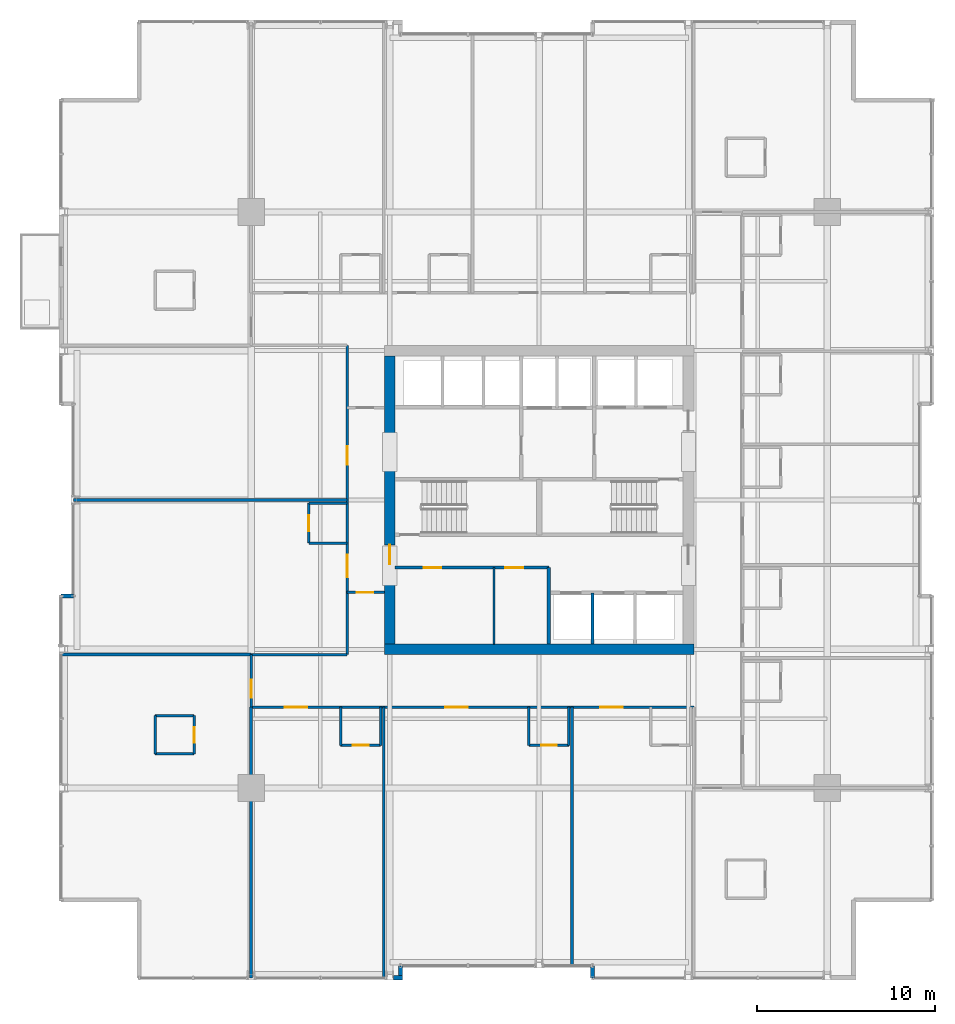
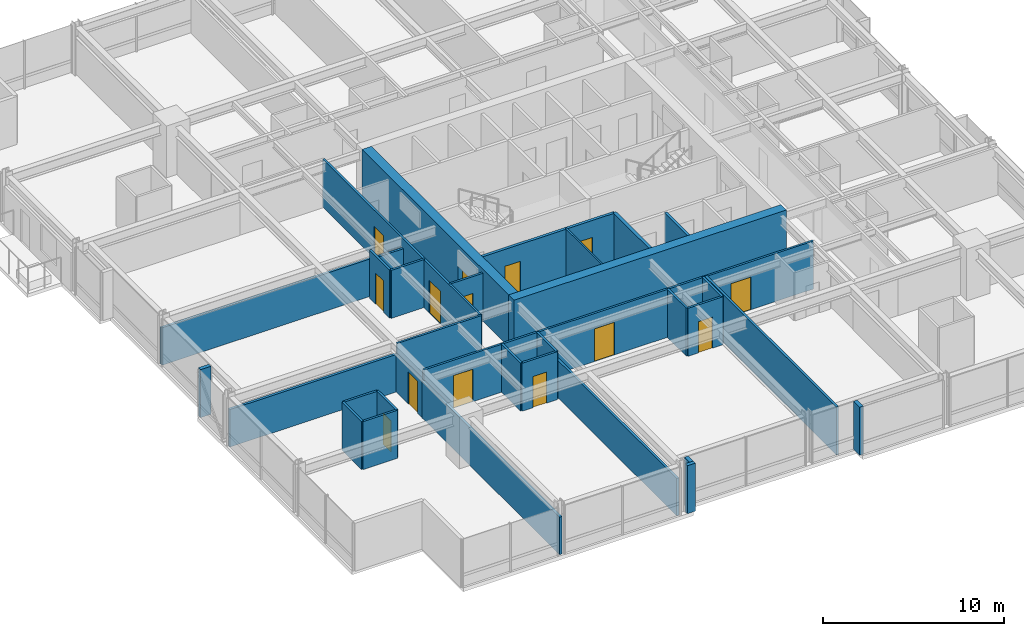
# One storey, part 28 of 34: 33 walls, 14 doors, 14 openings.
"""IFC4 building model written with IfcOpenShell, lengths in metres."""

import ifcopenshell
import ifcopenshell.guid

model = None  # the IFC model being written
_history = None  # IfcOwnerHistory: only IFC2X3 demands one
_inside = {}  # id of a spatial element -> (the spatial element, [elements in it])
_under = {}  # id of a project, library or spatial element -> (it, [spatial elements below it])
_declared = {}  # id of a project -> (the project, [libraries it declares])
_typed = {}  # id of a type object -> (the type object, [elements of that type])
_made_of = {}  # id of a material, layer set ... -> (it, [elements and type objects made of it])


def new_model(schema):
    """Start an empty IFC model of exactly this schema.

    Asked for "IFC4X3", IfcOpenShell would pick the latest addendum, in which some entities
    have other attributes; the version numbers below select the first issue.
    IFC2X3 requires an IfcOwnerHistory on every rooted entity: one is made here for all.
    """
    global model, _history
    if schema == "IFC4X3":
        model = ifcopenshell.file(schema_version=(4, 3, 0, 0))
    else:
        model = ifcopenshell.file(schema=schema)
    _inside.clear()
    _under.clear()
    _declared.clear()
    _typed.clear()
    _made_of.clear()
    _history = None
    if model.schema == "IFC2X3":
        org = make("IfcOrganization", Name="unknown")
        user = make(
            "IfcPersonAndOrganization",
            ThePerson=make("IfcPerson", FamilyName="unknown"),
            TheOrganization=org,
        )
        app = make(
            "IfcApplication",
            ApplicationDeveloper=org,
            Version="unknown",
            ApplicationFullName="unknown",
            ApplicationIdentifier="unknown",
        )
        _history = make(
            "IfcOwnerHistory",
            OwningUser=user,
            OwningApplication=app,
            ChangeAction="ADDED",
            CreationDate=0,
        )
    return model


def make(cls, **values):
    """One entity of the class cls with the attributes given. An attribute that is None is left unset."""
    return model.create_entity(
        cls, **{name: value for name, value in values.items() if value is not None}
    )


def rooted(cls, **values):
    """An entity with a GlobalId (a new one), such as an element, a storey or a relation."""
    return make(cls, GlobalId=ifcopenshell.guid.new(), OwnerHistory=_history, **values)


def si_unit(unit_type, name, prefix=None):
    """IfcSIUnit, for example si_unit("LENGTHUNIT", "METRE", prefix="MILLI")."""
    return make("IfcSIUnit", UnitType=unit_type, Prefix=prefix, Name=name)


def assignment(units):
    """IfcUnitAssignment: the units of a project."""
    return None if units is None else make("IfcUnitAssignment", Units=units)


def point(xyz):
    """IfcCartesianPoint."""
    return None if xyz is None else make("IfcCartesianPoint", Coordinates=xyz)


def direction(xyz):
    """IfcDirection."""
    return None if xyz is None else make("IfcDirection", DirectionRatios=xyz)


def frame(location, z_axis=None, x_axis=None):
    """IfcAxis2Placement3D, a coordinate frame: its origin and axes. An axis left out is left unset."""
    return make(
        "IfcAxis2Placement3D",
        Location=point(location),
        Axis=direction(z_axis),
        RefDirection=direction(x_axis),
    )


def frame_2d(location, x_axis=None):
    """IfcAxis2Placement2D, a coordinate frame in the plane: its origin and x axis."""
    return make(
        "IfcAxis2Placement2D", Location=point(location), RefDirection=direction(x_axis)
    )


def origin():
    """The frame at (0, 0, 0) with its axes left unset."""
    return frame((0.0, 0.0, 0.0))


def place(relative_to, where):
    """IfcLocalPlacement: puts the frame where relative to a parent placement (None: the world)."""
    return make(
        "IfcLocalPlacement", PlacementRelTo=relative_to, RelativePlacement=where
    )


def context(
    kind, dimensions, precision=None, world=None, true_north=None, identifier=None
):
    """IfcGeometricRepresentationContext, for example the 3D "Model" context."""
    return make(
        "IfcGeometricRepresentationContext",
        ContextIdentifier=identifier,
        ContextType=kind,
        CoordinateSpaceDimension=dimensions,
        Precision=precision,
        WorldCoordinateSystem=world,
        TrueNorth=true_north,
    )


def subcontext(parent, identifier, kind, view, scale=None):
    """IfcGeometricRepresentationSubContext, for example "Body" below "Model"."""
    return make(
        "IfcGeometricRepresentationSubContext",
        ContextIdentifier=identifier,
        ContextType=kind,
        ParentContext=parent,
        TargetScale=scale,
        TargetView=view,
    )


def project(units=None, contexts=None):
    """IfcProject with its units and contexts."""
    return rooted(
        "IfcProject",
        Name="project",
        RepresentationContexts=contexts,
        UnitsInContext=assignment(units),
    )


def spatial(cls, under=None, at=None, **own):
    """A site, building, storey or space (cls), placed at a placement, below another one or the project."""
    s = rooted(cls, ObjectPlacement=at, **own)
    if under is not None:
        _under.setdefault(under.id(), (under, []))[1].append(s)
    return s


def profile(cls, at=None, kind="AREA", **sizes):
    """A parametric profile (cls). Its sizes go by their IFC names, for example OverallWidth=200.0."""
    return make(cls, ProfileType=kind, Position=at, **sizes)


def rectangle(**sizes):
    """IfcRectangleProfileDef."""
    return profile("IfcRectangleProfileDef", **sizes)


def extrude(swept, where, along, depth):
    """IfcExtrudedAreaSolid: the profile swept, set in the frame where, extruded along a direction by depth."""
    return make(
        "IfcExtrudedAreaSolid",
        SweptArea=swept,
        Position=where,
        ExtrudedDirection=direction(along),
        Depth=depth,
    )


def shape(context_of_items, identifier, shape_type, items):
    """IfcShapeRepresentation: the items that make up one representation, for example the "Body"."""
    return make(
        "IfcShapeRepresentation",
        ContextOfItems=context_of_items,
        RepresentationIdentifier=identifier,
        RepresentationType=shape_type,
        Items=items,
    )


def material(Name=None, Category=None):
    """IfcMaterial."""
    return make("IfcMaterial", Name=Name, Category=Category)


def layer(
    of_material, thickness, ventilated=None, Name=None, Category=None, Priority=None
):
    """IfcMaterialLayer: one layer of a wall or slab, of a material (None: an air gap)."""
    return make(
        "IfcMaterialLayer",
        Material=of_material,
        LayerThickness=thickness,
        IsVentilated=ventilated,
        Name=Name,
        Category=Category,
        Priority=Priority,
    )


def layer_set(layers, Name=None):
    """IfcMaterialLayerSet."""
    return make("IfcMaterialLayerSet", MaterialLayers=layers, LayerSetName=Name)


def made_of(thing, what):
    """Note that an element or type object is made of a material, layer set ...; save() writes the relation."""
    if what is not None:
        _made_of.setdefault(what.id(), (what, []))[1].append(thing)
    return thing


def type_object(cls, material=None, **own):
    """A type object (cls), such as IfcWallType, which elements share."""
    return made_of(rooted(cls, **own), material)


def element(
    cls,
    number,
    at=None,
    inside=None,
    cuts=None,
    type_object=None,
    material=None,
    context=None,
    identifier="Body",
    shape_type=None,
    held_by="IfcProductDefinitionShape",
    body=None,
    shapes=None,
    **own,
):
    """One element of the class cls, such as IfcWall. Its Tag is "e" and its number.

    at: its placement. inside: the storey or other place that contains it. cuts: it is an
    opening in that element (IfcRelVoidsElement). A single representation is given by context,
    identifier, shape_type and body (its items); several are given by shapes. held_by: the class
    of the entity that holds the representations. save() writes the other relations.
    """
    e = rooted(cls, Tag="e%d" % number, ObjectPlacement=at, **own)
    if body is not None:
        shapes = [shape(context, identifier, shape_type, body)]
    if shapes is not None:
        e.Representation = make(held_by, Representations=shapes)
    if inside is not None:
        _inside.setdefault(inside.id(), (inside, []))[1].append(e)
    if cuts is not None:
        rooted(
            "IfcRelVoidsElement", RelatingBuildingElement=cuts, RelatedOpeningElement=e
        )
    if type_object is not None:
        _typed.setdefault(type_object.id(), (type_object, []))[1].append(e)
    return made_of(e, material)


def fill(opening, filler):
    """IfcRelFillsElement: the door or window that sits in an opening."""
    return rooted(
        "IfcRelFillsElement",
        RelatingOpeningElement=opening,
        RelatedBuildingElement=filler,
    )


def aggregate(whole, parts):
    """IfcRelAggregates: a whole, such as a stair, and the parts it consists of."""
    return rooted("IfcRelAggregates", RelatingObject=whole, RelatedObjects=parts)


def save(model, path):
    """Write the relations noted so far, then the file.

    IfcRelAggregates (storeys below a building ...), IfcRelContainedInSpatialStructure (elements
    in a storey), IfcRelDefinesByType, IfcRelAssociatesMaterial and IfcRelDeclares: one each for
    every whole, place, type object, material and project.
    """
    for whole, parts in _under.values():
        aggregate(whole, parts)
    for where, things in _inside.values():
        rooted(
            "IfcRelContainedInSpatialStructure",
            RelatedElements=things,
            RelatingStructure=where,
        )
    for kind, things in _typed.values():
        rooted("IfcRelDefinesByType", RelatedObjects=things, RelatingType=kind)
    for what, things in _made_of.values():
        rooted("IfcRelAssociatesMaterial", RelatedObjects=things, RelatingMaterial=what)
    for by, libraries in _declared.values():
        rooted("IfcRelDeclares", RelatingContext=by, RelatedDefinitions=libraries)
    model.write(path)


model = new_model("IFC4")

# Units and contexts
model_context = context("Model", 3, precision=1e-05, world=origin(), true_north=direction((0.0, 1.0)))
body_context = subcontext(model_context, "Body", "Model", "MODEL_VIEW")
ifc_project = project(units=[si_unit("LENGTHUNIT", "METRE"), si_unit("AREAUNIT", "SQUARE_METRE"), si_unit("VOLUMEUNIT", "CUBIC_METRE"), si_unit("PLANEANGLEUNIT", "RADIAN"), si_unit("MASSUNIT", "GRAM", prefix="KILO")], contexts=[model_context])

# Site, building, storey
site_placement = place(None, origin())
site = spatial("IfcSite", under=ifc_project, at=site_placement, CompositionType="ELEMENT")
building_placement = place(site_placement, origin())
building = spatial("IfcBuilding", under=site, at=building_placement, Name="Drelvath Grand Hotel", CompositionType="ELEMENT")
storey_placement = place(building_placement, frame((0.0, 0.0, 126.800048828125)))
storey = spatial("IfcBuildingStorey", under=building, at=storey_placement, Name="L32", CompositionType="ELEMENT", Elevation=126.800048828125)

# Walls
ifc_material_1 = material(Name="Gypsum Partition Board")
ifc_layer_1 = layer(ifc_material_1, 0.10009765625)
ifc_layer_set_1 = layer_set([ifc_layer_1], Name="Gypsum Partition Board")
wall_type_1 = type_object("IfcWallType", Name="Core Closet Partition 100", PredefinedType="PARTITIONING", material=ifc_layer_set_1)
wall_1_placement = place(storey_placement, frame((-2.5400390625, 18.89990234375, 0.0), z_axis=(0.0, 0.0, 1.0), x_axis=(0.0, 1.0, 0.0)))
element("IfcWall", 1, at=wall_1_placement, inside=storey, type_object=wall_type_1, Name="L32 Reclaimed Core Split Wall", PredefinedType="PARTITIONING", context=body_context, shape_type="SweptSolid", body=[
    extrude(rectangle(XDim=4.300048828125, YDim=0.10009765625, at=frame_2d((2.14990234375, 0.0))), origin(), (0.0, 0.0, 1.0), 3.239990234375),
])
ifc_material_2 = material(Name="Concrete C40/50", Category="concrete")
ifc_layer_2 = layer(ifc_material_2, 0.199951171875)
ifc_layer_set_2 = layer_set([ifc_layer_2], Name="Concrete C40/50")
wall_type_2 = type_object("IfcWallType", Name="Core Hoistway Fire Wall 200", PredefinedType="SOLIDWALL", material=ifc_layer_set_2)
wall_2_placement = place(storey_placement, frame((0.550048828125, 18.89990234375, 0.0), z_axis=(0.0, 0.0, 1.0), x_axis=(0.0, 1.0, 0.0)))
element("IfcWall", 2, at=wall_2_placement, inside=storey, type_object=wall_type_2, Name="L32 Bank 2 West Wall", PredefinedType="SOLIDWALL", context=body_context, shape_type="SweptSolid", body=[
    extrude(rectangle(XDim=4.300048828125, YDim=0.199951171875, at=frame_2d((2.14990234375, 0.0))), origin(), (0.0, 0.0, 1.0), 3.239990234375),
])
ifc_material_3 = material(Name="Gypsum Fireboard Partition")
ifc_layer_3 = layer(ifc_material_3, 0.1650390625)
ifc_layer_set_3 = layer_set([ifc_layer_3], Name="Gypsum Fireboard Partition")
wall_type_3 = type_object("IfcWallType", Name="Core Shaft Partition 165", PredefinedType="PARTITIONING", material=ifc_layer_set_3)
wall_3_placement = place(storey_placement, frame((3.0, 18.89990234375, 0.0), z_axis=(0.0, 0.0, 1.0), x_axis=(0.0, 1.0, 0.0)))
element("IfcWall", 3, at=wall_3_placement, inside=storey, type_object=wall_type_3, Name="L32 Lift PE-4/5 Divider", PredefinedType="PARTITIONING", context=body_context, shape_type="SweptSolid", body=[
    extrude(rectangle(XDim=2.880126953125, YDim=0.1650390625, at=frame_2d((1.43994140625, 0.0))), origin(), (0.0, 0.0, 1.0), 3.239990234375),
])

# Wall, opening, door
ifc_layer_4 = layer(ifc_material_3, 0.135009765625)
ifc_layer_set_4 = layer_set([ifc_layer_4], Name="Gypsum Fireboard Partition")
wall_type_4 = type_object("IfcWallType", Name="Corridor Fire Barrier Wall 135", PredefinedType="PARTITIONING", material=ifc_layer_set_4)
wall_4_placement = place(storey_placement, frame((-10.800048828125, 21.800048828125, 0.0), z_axis=(0.0, 0.0, 1.0), x_axis=(1.0, 0.0, 0.0)))
wall_4 = element("IfcWall", 4, at=wall_4_placement, inside=storey, type_object=wall_type_4, Name="L32 West Foyer South Wall", PredefinedType="PARTITIONING", context=body_context, shape_type="SweptSolid", body=[
    extrude(rectangle(XDim=2.10009765625, YDim=0.135009765625, at=frame_2d((1.050048828125, 0.0))), origin(), (0.0, 0.0, 1.0), 3.239990234375),
])
opening_1_placement = place(wall_4_placement, frame((0.550048828125, 0.0, 0.0)))
opening_1 = element("IfcOpeningElement", 5, at=opening_1_placement, cuts=wall_4, Name="Opening D-T2G4-017", PredefinedType="OPENING", context=body_context, shape_type="SweptSolid", body=[
    extrude(rectangle(XDim=0.919921875, YDim=2.10009765625, at=frame_2d((0.4599609375, 1.050048828125))), frame((0.0, 0.077392578125, 0.0), z_axis=(0.0, -1.0, 0.0), x_axis=(1.0, 0.0, 0.0)), (0.0, 0.0, 1.0), 0.155029296875),
])
ifc_material_4 = material(Name="Painted Steel S275", Category="steel")
door_type_1 = type_object("IfcDoorType", Name="Staff Utility Door 920x2100", OperationType="NOTDEFINED", PredefinedType="DOOR", material=ifc_material_4)
door_1_placement = place(opening_1_placement, origin())
door_1 = element("IfcDoor", 6, at=door_1_placement, inside=storey, type_object=door_type_1, Name="L32 West Linen Closet Door", OperationType="SINGLE_SWING_RIGHT", OverallHeight=2.10009765625, OverallWidth=0.919921875, PredefinedType="DOOR", context=body_context, shape_type="SweptSolid", body=[
    extrude(rectangle(XDim=0.919921875, YDim=2.10009765625, at=frame_2d((0.4599609375, 1.050048828125))), frame((0.0, 0.02490234375, 0.0), z_axis=(0.0, -1.0, 0.0), x_axis=(1.0, 0.0, 0.0)), (0.0, 0.0, 1.0), 0.050048828125),
])
fill(opening_1, door_1)

# Wall
wall_5_placement = place(storey_placement, frame((-16.199951171875, 18.300048828125, 0.0), z_axis=(0.0, 0.0, 1.0), x_axis=(1.0, 0.0, 0.0)))
element("IfcWall", 7, at=wall_5_placement, inside=storey, type_object=wall_type_4, Name="L32 SW Stub North Wall", PredefinedType="PARTITIONING", context=body_context, shape_type="SweptSolid", body=[
    extrude(rectangle(XDim=5.39990234375, YDim=0.135009765625, at=frame_2d((2.699951171875, 0.0))), origin(), (0.0, 0.0, 1.0), 3.239990234375),
])

# Wall, openings, doors
wall_6_placement = place(storey_placement, frame((-16.199951171875, 15.35009765625, 0.0), z_axis=(0.0, 0.0, 1.0), x_axis=(1.0, 0.0, 0.0)))
wall_6 = element("IfcWall", 8, at=wall_6_placement, inside=storey, type_object=wall_type_4, Name="L32 South Stub Corridor Wall", PredefinedType="PARTITIONING", context=body_context, shape_type="SweptSolid", body=[
    extrude(rectangle(XDim=24.89990234375, YDim=0.135009765625, at=frame_2d((12.449951171875, 0.0))), origin(), (0.0, 0.0, 1.0), 3.239990234375),
])
opening_2_placement = place(wall_6_placement, frame((1.889892578125, 0.0, 0.0)))
opening_2 = element("IfcOpeningElement", 9, at=opening_2_placement, cuts=wall_6, Name="Opening D-T2G4-028", PredefinedType="OPENING", context=body_context, shape_type="SweptSolid", body=[
    extrude(rectangle(XDim=1.260009765625, YDim=2.199951171875, at=frame_2d((0.6298828125, 1.10009765625))), frame((0.0, 0.077392578125, 0.0), z_axis=(0.0, -1.0, 0.0), x_axis=(1.0, 0.0, 0.0)), (0.0, 0.0, 1.0), 0.155029296875),
])
opening_3_placement = place(wall_6_placement, frame((10.916259765625, 0.0, 0.0)))
opening_3 = element("IfcOpeningElement", 10, at=opening_3_placement, cuts=wall_6, Name="Opening D-T2G4-030", PredefinedType="OPENING", context=body_context, shape_type="SweptSolid", body=[
    extrude(rectangle(XDim=1.260009765625, YDim=2.199951171875, at=frame_2d((0.6298828125, 1.10009765625))), frame((0.0, 0.077392578125, 0.0), z_axis=(0.0, -1.0, 0.0), x_axis=(1.0, 0.0, 0.0)), (0.0, 0.0, 1.0), 0.155029296875),
])
opening_4_placement = place(wall_6_placement, frame((19.631103515625, 0.0, 0.0)))
opening_4 = element("IfcOpeningElement", 11, at=opening_4_placement, cuts=wall_6, Name="Opening D-T2G4-032", PredefinedType="OPENING", context=body_context, shape_type="SweptSolid", body=[
    extrude(rectangle(XDim=1.260009765625, YDim=2.199951171875, at=frame_2d((0.6298828125, 1.10009765625))), frame((0.0, 0.077392578125, 0.0), z_axis=(0.0, -1.0, 0.0), x_axis=(1.0, 0.0, 0.0)), (0.0, 0.0, 1.0), 0.155029296875),
])
ifc_material_5 = material(Name="Hardwood Walnut Timber", Category="wood")
door_type_2 = type_object("IfcDoorType", Name="Suite Entrance Fire Door 1260x2200", OperationType="NOTDEFINED", PredefinedType="DOOR", material=ifc_material_5)
door_2_placement = place(opening_2_placement, origin())
door_2 = element("IfcDoor", 12, at=door_2_placement, inside=storey, type_object=door_type_2, Name="L32 Corner Suite Entry Door", OperationType="SINGLE_SWING_LEFT", OverallHeight=2.199951171875, OverallWidth=1.260009765625, PredefinedType="DOOR", context=body_context, shape_type="SweptSolid", body=[
    extrude(rectangle(XDim=1.260009765625, YDim=2.199951171875, at=frame_2d((0.6298828125, 1.10009765625))), frame((0.0, 0.02490234375, 0.0), z_axis=(0.0, -1.0, 0.0), x_axis=(1.0, 0.0, 0.0)), (0.0, 0.0, 1.0), 0.050048828125),
])
fill(opening_2, door_2)
door_3_placement = place(opening_3_placement, origin())
door_3 = element("IfcDoor", 13, at=door_3_placement, inside=storey, type_object=door_type_2, Name="L32 Corner Suite Entry Door", OperationType="SINGLE_SWING_LEFT", OverallHeight=2.199951171875, OverallWidth=1.260009765625, PredefinedType="DOOR", context=body_context, shape_type="SweptSolid", body=[
    extrude(rectangle(XDim=1.260009765625, YDim=2.199951171875, at=frame_2d((0.6298828125, 1.10009765625))), frame((0.0, 0.02490234375, 0.0), z_axis=(0.0, -1.0, 0.0), x_axis=(1.0, 0.0, 0.0)), (0.0, 0.0, 1.0), 0.050048828125),
])
fill(opening_3, door_3)
door_4_placement = place(opening_4_placement, origin())
door_4 = element("IfcDoor", 14, at=door_4_placement, inside=storey, type_object=door_type_2, Name="L32 Corner Suite Entry Door", OperationType="SINGLE_SWING_LEFT", OverallHeight=2.199951171875, OverallWidth=1.260009765625, PredefinedType="DOOR", context=body_context, shape_type="SweptSolid", body=[
    extrude(rectangle(XDim=1.260009765625, YDim=2.199951171875, at=frame_2d((0.6298828125, 1.10009765625))), frame((0.0, 0.02490234375, 0.0), z_axis=(0.0, -1.0, 0.0), x_axis=(1.0, 0.0, 0.0)), (0.0, 0.0, 1.0), 0.050048828125),
])
fill(opening_4, door_4)

wall_7_placement = place(storey_placement, frame((-10.800048828125, 18.300048828125, 0.0), z_axis=(0.0, 0.0, 1.0), x_axis=(0.0, 1.0, 0.0)))
wall_7 = element("IfcWall", 15, at=wall_7_placement, inside=storey, type_object=wall_type_4, Name="L32 West Spine Wall", PredefinedType="PARTITIONING", context=body_context, shape_type="SweptSolid", body=[
    extrude(rectangle(XDim=17.39990234375, YDim=0.135009765625, at=frame_2d((8.699951171875, 0.0))), origin(), (0.0, 0.0, 1.0), 3.239990234375),
])
opening_5_placement = place(wall_7_placement, frame((4.35498046875, 0.0, 0.0)))
opening_5 = element("IfcOpeningElement", 16, at=opening_5_placement, cuts=wall_7, Name="Opening D-T2G4-051", PredefinedType="OPENING", context=body_context, shape_type="SweptSolid", body=[
    extrude(rectangle(XDim=1.260009765625, YDim=2.199951171875, at=frame_2d((0.6298828125, 1.10009765625))), frame((0.0, 0.077392578125, 0.0), z_axis=(0.0, -1.0, 0.0), x_axis=(1.0, 0.0, 0.0)), (0.0, 0.0, 1.0), 0.155029296875),
])
opening_6_placement = place(wall_7_placement, frame((10.68994140625, 0.0, 0.0)))
opening_6 = element("IfcOpeningElement", 17, at=opening_6_placement, cuts=wall_7, Name="Opening D-T2G4-052", PredefinedType="OPENING", context=body_context, shape_type="SweptSolid", body=[
    extrude(rectangle(XDim=1.02001953125, YDim=2.14990234375, at=frame_2d((0.510009765625, 1.074951171875))), frame((0.0, 0.077392578125, 0.0), z_axis=(0.0, -1.0, 0.0), x_axis=(1.0, 0.0, 0.0)), (0.0, 0.0, 1.0), 0.155029296875),
])
door_type_3 = type_object("IfcDoorType", Name="Amenity Meeting Fire Door 1020x2150", OperationType="NOTDEFINED", PredefinedType="DOOR", material=ifc_material_5)
door_5_placement = place(opening_6_placement, origin())
door_5 = element("IfcDoor", 18, at=door_5_placement, inside=storey, type_object=door_type_3, Name="L32 Quiet Study Room Entry Door", OperationType="SINGLE_SWING_LEFT", OverallHeight=2.14990234375, OverallWidth=1.02001953125, PredefinedType="DOOR", context=body_context, shape_type="SweptSolid", body=[
    extrude(rectangle(XDim=1.02001953125, YDim=2.14990234375, at=frame_2d((0.510009765625, 1.074951171875))), frame((0.0, 0.02490234375, 0.0), z_axis=(0.0, -1.0, 0.0), x_axis=(1.0, 0.0, 0.0)), (0.0, 0.0, 1.0), 0.050048828125),
])
fill(opening_6, door_5)
door_6_placement = place(opening_5_placement, origin())
door_6 = element("IfcDoor", 19, at=door_6_placement, inside=storey, type_object=door_type_2, Name="L32 Corner Suite Entry Door", OperationType="SINGLE_SWING_RIGHT", OverallHeight=2.199951171875, OverallWidth=1.260009765625, PredefinedType="DOOR", context=body_context, shape_type="SweptSolid", body=[
    extrude(rectangle(XDim=1.260009765625, YDim=2.199951171875, at=frame_2d((0.6298828125, 1.10009765625))), frame((0.0, 0.02490234375, 0.0), z_axis=(0.0, -1.0, 0.0), x_axis=(1.0, 0.0, 0.0)), (0.0, 0.0, 1.0), 0.050048828125),
])
fill(opening_5, door_6)

# Wall, opening, door
wall_8_placement = place(storey_placement, frame((-16.199951171875, 15.35009765625, 0.0), z_axis=(0.0, 0.0, 1.0), x_axis=(0.0, 1.0, 0.0)))
wall_8 = element("IfcWall", 20, at=wall_8_placement, inside=storey, type_object=wall_type_4, Name="L32 South Stub West End", PredefinedType="PARTITIONING", context=body_context, shape_type="SweptSolid", body=[
    extrude(rectangle(XDim=2.949951171875, YDim=0.135009765625, at=frame_2d((1.47509765625, 0.0))), origin(), (0.0, 0.0, 1.0), 2.529541015625),
])
opening_7_placement = place(wall_8_placement, frame((0.52001953125, 0.0, 0.0)))
opening_7 = element("IfcOpeningElement", 21, at=opening_7_placement, cuts=wall_8, Name="Opening D-T2G4-020", PredefinedType="OPENING", context=body_context, shape_type="SweptSolid", body=[
    extrude(rectangle(XDim=1.02001953125, YDim=2.14990234375, at=frame_2d((0.510009765625, 1.074951171875))), frame((0.0, 0.077392578125, 0.0), z_axis=(0.0, -1.0, 0.0), x_axis=(1.0, 0.0, 0.0)), (0.0, 0.0, 1.0), 0.155029296875),
])
door_7_placement = place(opening_7_placement, origin())
door_7 = element("IfcDoor", 22, at=door_7_placement, inside=storey, type_object=door_type_3, Name="L32 Corner Suite Entry Door", OperationType="SINGLE_SWING_LEFT", OverallHeight=2.14990234375, OverallWidth=1.02001953125, PredefinedType="DOOR", context=body_context, shape_type="SweptSolid", body=[
    extrude(rectangle(XDim=1.02001953125, YDim=2.14990234375, at=frame_2d((0.510009765625, 1.074951171875))), frame((0.0, 0.02490234375, 0.0), z_axis=(0.0, -1.0, 0.0), x_axis=(1.0, 0.0, 0.0)), (0.0, 0.0, 1.0), 0.050048828125),
])
fill(opening_7, door_7)

# Walls
ifc_material_6 = material(Name="Moisture-Resistant Gypsum Board")
ifc_layer_5 = layer(ifc_material_6, 0.139892578125)
ifc_layer_set_5 = layer_set([ifc_layer_5], Name="Moisture-Resistant Gypsum Board")
wall_type_5 = type_object("IfcWallType", Name="En-Suite Plumbing Wall 140", PredefinedType="PLUMBINGWALL", material=ifc_layer_set_5)
for number, where, z_axis, x_axis, name in (
    (23, (-21.60009765625, 12.719970703125, 0.0), (0.0, 0.0, 1.0), (1.0, 0.0, 0.0), "L32 Corner En-Suite South"),
    (24, (-21.60009765625, 14.8701171875, 0.0), (0.0, 0.0, 1.0), (1.0, 0.0, 0.0), "L32 Corner En-Suite North"),
):
    element("IfcWall", number, at=place(storey_placement, frame(where, z_axis=z_axis, x_axis=x_axis)), inside=storey, type_object=wall_type_5, Name=name, PredefinedType="PLUMBINGWALL", context=body_context, shape_type="SweptSolid", body=[
        extrude(rectangle(XDim=2.2001953125, YDim=0.139892578125, at=frame_2d((1.10009765625, 0.0))), origin(), (0.0, 0.0, 1.0), 3.239990234375),
    ])
wall_9_placement = place(storey_placement, frame((-21.60009765625, 12.719970703125, 0.0), z_axis=(0.0, 0.0, 1.0), x_axis=(0.0, 1.0, 0.0)))
element("IfcWall", 25, at=wall_9_placement, inside=storey, type_object=wall_type_5, Name="L32 Corner En-Suite West", PredefinedType="PLUMBINGWALL", context=body_context, shape_type="SweptSolid", body=[
    extrude(rectangle(XDim=2.150146484375, YDim=0.139892578125, at=frame_2d((1.0751953125, 0.0))), origin(), (0.0, 0.0, 1.0), 3.239990234375),
])

# Wall, opening, door
wall_10_placement = place(storey_placement, frame((-19.39990234375, 12.719970703125, 0.0), z_axis=(0.0, 0.0, 1.0), x_axis=(0.0, 1.0, 0.0)))
wall_10 = element("IfcWall", 26, at=wall_10_placement, inside=storey, type_object=wall_type_5, Name="L32 Corner En-Suite East", PredefinedType="PLUMBINGWALL", context=body_context, shape_type="SweptSolid", body=[
    extrude(rectangle(XDim=2.150146484375, YDim=0.139892578125, at=frame_2d((1.0751953125, 0.0))), origin(), (0.0, 0.0, 1.0), 3.239990234375),
])
opening_8_placement = place(wall_10_placement, frame((0.6201171875, 0.0, 0.0)))
opening_8 = element("IfcOpeningElement", 27, at=opening_8_placement, cuts=wall_10, Name="Opening D-T2G4-019", PredefinedType="OPENING", context=body_context, shape_type="SweptSolid", body=[
    extrude(rectangle(XDim=0.8798828125, YDim=2.10009765625, at=frame_2d((0.43994140625, 1.050048828125))), frame((0.0, 0.079833984375, 0.0), z_axis=(0.0, -1.0, 0.0), x_axis=(1.0, 0.0, 0.0)), (0.0, 0.0, 1.0), 0.159912109375),
])
door_type_4 = type_object("IfcDoorType", Name="En-Suite Bathroom Door 880x2100", OperationType="NOTDEFINED", PredefinedType="DOOR", material=ifc_material_5)
door_8_placement = place(opening_8_placement, origin())
door_8 = element("IfcDoor", 28, at=door_8_placement, inside=storey, type_object=door_type_4, Name="L32 Corner En-Suite Door", OperationType="SINGLE_SWING_RIGHT", OverallHeight=2.10009765625, OverallWidth=0.8798828125, PredefinedType="DOOR", context=body_context, shape_type="SweptSolid", body=[
    extrude(rectangle(XDim=0.8798828125, YDim=2.10009765625, at=frame_2d((0.43994140625, 1.050048828125))), frame((0.0, 0.02490234375, 0.0), z_axis=(0.0, -1.0, 0.0), x_axis=(1.0, 0.0, 0.0)), (0.0, 0.0, 1.0), 0.050048828125),
])
fill(opening_8, door_8)

# Walls
for number, where, z_axis, x_axis, name in (
    (29, (-11.159912109375, 15.35009765625, 0.0), (0.0, 0.0, 1.0), (0.0, -1.0, 0.0), "L32 En-Suite Left Wall"),
    (30, (-8.909912109375, 15.35009765625, 0.0), (0.0, 0.0, 1.0), (0.0, -1.0, 0.0), "L32 En-Suite Right Wall"),
):
    element("IfcWall", number, at=place(storey_placement, frame(where, z_axis=z_axis, x_axis=x_axis)), inside=storey, type_object=wall_type_5, Name=name, PredefinedType="PLUMBINGWALL", context=body_context, shape_type="SweptSolid", body=[
        extrude(rectangle(XDim=2.150146484375, YDim=0.139892578125, at=frame_2d((1.0751953125, 0.0))), origin(), (0.0, 0.0, 1.0), 3.239990234375),
    ])

# Wall, opening, door
wall_11_placement = place(storey_placement, frame((-11.159912109375, 13.199951171875, 0.0), z_axis=(0.0, 0.0, 1.0), x_axis=(1.0, 0.0, 0.0)))
wall_11 = element("IfcWall", 31, at=wall_11_placement, inside=storey, type_object=wall_type_5, Name="L32 En-Suite Front Wall", PredefinedType="PLUMBINGWALL", context=body_context, shape_type="SweptSolid", body=[
    extrude(rectangle(XDim=2.25, YDim=0.139892578125, at=frame_2d((1.125, 0.0))), origin(), (0.0, 0.0, 1.0), 3.239990234375),
])
opening_9_placement = place(wall_11_placement, frame((0.68505859375, 0.0, 0.0)))
opening_9 = element("IfcOpeningElement", 32, at=opening_9_placement, cuts=wall_11, Name="Opening D-T2G4-027", PredefinedType="OPENING", context=body_context, shape_type="SweptSolid", body=[
    extrude(rectangle(XDim=0.8798828125, YDim=2.10009765625, at=frame_2d((0.43994140625, 1.050048828125))), frame((0.0, 0.079833984375, 0.0), z_axis=(0.0, -1.0, 0.0), x_axis=(1.0, 0.0, 0.0)), (0.0, 0.0, 1.0), 0.159912109375),
])
door_9_placement = place(opening_9_placement, origin())
door_9 = element("IfcDoor", 33, at=door_9_placement, inside=storey, type_object=door_type_4, Name="L32 En-Suite Bathroom Door", OperationType="SINGLE_SWING_RIGHT", OverallHeight=2.10009765625, OverallWidth=0.8798828125, PredefinedType="DOOR", context=body_context, shape_type="SweptSolid", body=[
    extrude(rectangle(XDim=0.8798828125, YDim=2.10009765625, at=frame_2d((0.43994140625, 1.050048828125))), frame((0.0, 0.02490234375, 0.0), z_axis=(0.0, -1.0, 0.0), x_axis=(1.0, 0.0, 0.0)), (0.0, 0.0, 1.0), 0.050048828125),
])
fill(opening_9, door_9)

# Walls
for number, where, z_axis, x_axis, name in (
    (34, (-0.577392578125, 15.35009765625, 0.0), (0.0, 0.0, 1.0), (0.0, -1.0, 0.0), "L32 En-Suite Left Wall"),
    (35, (1.672607421875, 15.35009765625, 0.0), (0.0, 0.0, 1.0), (0.0, -1.0, 0.0), "L32 En-Suite Right Wall"),
):
    element("IfcWall", number, at=place(storey_placement, frame(where, z_axis=z_axis, x_axis=x_axis)), inside=storey, type_object=wall_type_5, Name=name, PredefinedType="PLUMBINGWALL", context=body_context, shape_type="SweptSolid", body=[
        extrude(rectangle(XDim=2.150146484375, YDim=0.139892578125, at=frame_2d((1.0751953125, 0.0))), origin(), (0.0, 0.0, 1.0), 3.239990234375),
    ])

# Wall, opening, door
wall_12_placement = place(storey_placement, frame((-0.577392578125, 13.199951171875, 0.0), z_axis=(0.0, 0.0, 1.0), x_axis=(1.0, 0.0, 0.0)))
wall_12 = element("IfcWall", 36, at=wall_12_placement, inside=storey, type_object=wall_type_5, Name="L32 En-Suite Front Wall", PredefinedType="PLUMBINGWALL", context=body_context, shape_type="SweptSolid", body=[
    extrude(rectangle(XDim=2.25, YDim=0.139892578125, at=frame_2d((1.125, 0.0))), origin(), (0.0, 0.0, 1.0), 3.239990234375),
])
opening_10_placement = place(wall_12_placement, frame((0.68505859375, 0.0, 0.0)))
opening_10 = element("IfcOpeningElement", 37, at=opening_10_placement, cuts=wall_12, Name="Opening D-T2G4-029", PredefinedType="OPENING", context=body_context, shape_type="SweptSolid", body=[
    extrude(rectangle(XDim=0.8798828125, YDim=2.10009765625, at=frame_2d((0.43994140625, 1.050048828125))), frame((0.0, 0.079833984375, 0.0), z_axis=(0.0, -1.0, 0.0), x_axis=(1.0, 0.0, 0.0)), (0.0, 0.0, 1.0), 0.159912109375),
])
door_10_placement = place(opening_10_placement, origin())
door_10 = element("IfcDoor", 38, at=door_10_placement, inside=storey, type_object=door_type_4, Name="L32 En-Suite Bathroom Door", OperationType="SINGLE_SWING_RIGHT", OverallHeight=2.10009765625, OverallWidth=0.8798828125, PredefinedType="DOOR", context=body_context, shape_type="SweptSolid", body=[
    extrude(rectangle(XDim=0.8798828125, YDim=2.10009765625, at=frame_2d((0.43994140625, 1.050048828125))), frame((0.0, 0.02490234375, 0.0), z_axis=(0.0, -1.0, 0.0), x_axis=(1.0, 0.0, 0.0)), (0.0, 0.0, 1.0), 0.050048828125),
])
fill(opening_10, door_10)

# Walls
wall_13_placement = place(storey_placement, frame((-10.800048828125, 24.570068359375, 0.0), z_axis=(0.0, 0.0, 1.0), x_axis=(-1.0, 0.0, 0.0)))
element("IfcWall", 39, at=wall_13_placement, inside=storey, type_object=wall_type_5, Name="L32 En-Suite Left Wall", PredefinedType="PLUMBINGWALL", context=body_context, shape_type="SweptSolid", body=[
    extrude(rectangle(XDim=2.14990234375, YDim=0.139892578125, at=frame_2d((1.074951171875, 0.0))), origin(), (0.0, 0.0, 1.0), 3.239990234375),
])
wall_14_placement = place(storey_placement, frame((-10.800048828125, 26.820068359375, 0.0), z_axis=(0.0, 0.0, 1.0), x_axis=(-1.0, 0.0, 0.0)))
element("IfcWall", 40, at=wall_14_placement, inside=storey, type_object=wall_type_5, Name="L32 En-Suite Right Wall", PredefinedType="PLUMBINGWALL", context=body_context, shape_type="SweptSolid", body=[
    extrude(rectangle(XDim=2.14990234375, YDim=0.139892578125, at=frame_2d((1.074951171875, 0.0))), origin(), (0.0, 0.0, 1.0), 2.617431640625),
])

# Wall, opening, door
wall_15_placement = place(storey_placement, frame((-12.949951171875, 24.570068359375, 0.0), z_axis=(0.0, 0.0, 1.0), x_axis=(0.0, 1.0, 0.0)))
wall_15 = element("IfcWall", 41, at=wall_15_placement, inside=storey, type_object=wall_type_5, Name="L32 En-Suite Front Wall", PredefinedType="PLUMBINGWALL", context=body_context, shape_type="SweptSolid", body=[
    extrude(rectangle(XDim=2.25, YDim=0.139892578125, at=frame_2d((1.125, 0.0))), origin(), (0.0, 0.0, 1.0), 3.239990234375),
])
opening_11_placement = place(wall_15_placement, frame((0.68505859375, 0.0, 0.0)))
opening_11 = element("IfcOpeningElement", 42, at=opening_11_placement, cuts=wall_15, Name="Opening D-T2G4-050", PredefinedType="OPENING", context=body_context, shape_type="SweptSolid", body=[
    extrude(rectangle(XDim=0.8798828125, YDim=2.10009765625, at=frame_2d((0.43994140625, 1.050048828125))), frame((0.0, 0.079833984375, 0.0), z_axis=(0.0, -1.0, 0.0), x_axis=(1.0, 0.0, 0.0)), (0.0, 0.0, 1.0), 0.159912109375),
])
door_11_placement = place(opening_11_placement, origin())
door_11 = element("IfcDoor", 43, at=door_11_placement, inside=storey, type_object=door_type_4, Name="L32 En-Suite Bathroom Door", OperationType="SINGLE_SWING_LEFT", OverallHeight=2.10009765625, OverallWidth=0.8798828125, PredefinedType="DOOR", context=body_context, shape_type="SweptSolid", body=[
    extrude(rectangle(XDim=0.8798828125, YDim=2.10009765625, at=frame_2d((0.43994140625, 1.050048828125))), frame((0.0, 0.02490234375, 0.0), z_axis=(0.0, -1.0, 0.0), x_axis=(1.0, 0.0, 0.0)), (0.0, 0.0, 1.0), 0.050048828125),
])
fill(opening_11, door_11)

# Wall, openings, doors
ifc_layer_6 = layer(ifc_material_3, 0.179931640625)
ifc_layer_set_6 = layer_set([ifc_layer_6], Name="Gypsum Fireboard Partition")
wall_type_6 = type_object("IfcWallType", Name="FSAE Smoke Lobby Fire Wall 180", PredefinedType="SOLIDWALL", material=ifc_layer_set_6)
wall_16_placement = place(storey_placement, frame((-8.10009765625, 23.199951171875, 0.0), z_axis=(0.0, 0.0, 1.0), x_axis=(1.0, 0.0, 0.0)))
wall_16 = element("IfcWall", 44, at=wall_16_placement, inside=storey, type_object=wall_type_6, Name="L32 Reclaimed Core Room Wall", PredefinedType="SOLIDWALL", context=body_context, shape_type="SweptSolid", body=[
    extrude(rectangle(XDim=8.650146484375, YDim=0.179931640625, at=frame_2d((4.3251953125, 0.0))), origin(), (0.0, 0.0, 1.0), 3.239990234375),
])
opening_12_placement = place(wall_16_placement, frame((1.60009765625, 0.0, 0.0)))
opening_12 = element("IfcOpeningElement", 45, at=opening_12_placement, cuts=wall_16, Name="Opening D-T2G4-015", PredefinedType="OPENING", context=body_context, shape_type="SweptSolid", body=[
    extrude(rectangle(XDim=1.0, YDim=2.10009765625, at=frame_2d((0.5, 1.050048828125))), frame((0.0, 0.099853515625, 0.0), z_axis=(0.0, -1.0, 0.0), x_axis=(1.0, 0.0, 0.0)), (0.0, 0.0, 1.0), 0.199951171875),
])
opening_13_placement = place(wall_16_placement, frame((6.199951171875, 0.0, 0.0)))
opening_13 = element("IfcOpeningElement", 46, at=opening_13_placement, cuts=wall_16, Name="Opening D-T2G4-016", PredefinedType="OPENING", context=body_context, shape_type="SweptSolid", body=[
    extrude(rectangle(XDim=1.0, YDim=2.10009765625, at=frame_2d((0.5, 1.050048828125))), frame((0.0, 0.099853515625, 0.0), z_axis=(0.0, -1.0, 0.0), x_axis=(1.0, 0.0, 0.0)), (0.0, 0.0, 1.0), 0.199951171875),
])
door_type_5 = type_object("IfcDoorType", Name="Core Service Fire Door 1000x2100", OperationType="NOTDEFINED", PredefinedType="DOOR", material=ifc_material_4)
door_12_placement = place(opening_12_placement, origin())
door_12 = element("IfcDoor", 47, at=door_12_placement, inside=storey, type_object=door_type_5, Name="L32 Housekeeping Door", OperationType="SINGLE_SWING_RIGHT", OverallHeight=2.10009765625, OverallWidth=1.0, PredefinedType="DOOR", context=body_context, shape_type="SweptSolid", body=[
    extrude(rectangle(XDim=1.0, YDim=2.10009765625, at=frame_2d((0.5, 1.050048828125))), frame((0.0, 0.02490234375, 0.0), z_axis=(0.0, -1.0, 0.0), x_axis=(1.0, 0.0, 0.0)), (0.0, 0.0, 1.0), 0.050048828125),
])
fill(opening_12, door_12)
door_13_placement = place(opening_13_placement, origin())
door_13 = element("IfcDoor", 48, at=door_13_placement, inside=storey, type_object=door_type_5, Name="L32 Butler Pantry Door", OperationType="SINGLE_SWING_LEFT", OverallHeight=2.10009765625, OverallWidth=1.0, PredefinedType="DOOR", context=body_context, shape_type="SweptSolid", body=[
    extrude(rectangle(XDim=1.0, YDim=2.10009765625, at=frame_2d((0.5, 1.050048828125))), frame((0.0, 0.02490234375, 0.0), z_axis=(0.0, -1.0, 0.0), x_axis=(1.0, 0.0, 0.0)), (0.0, 0.0, 1.0), 0.050048828125),
])
fill(opening_13, door_13)

# Walls
ifc_material_7 = material(Name="Gypsum Acoustic Partition")
ifc_layer_7 = layer(ifc_material_7, 0.14990234375)
ifc_layer_set_7 = layer_set([ifc_layer_7], Name="Gypsum Acoustic Partition")
wall_type_7 = type_object("IfcWallType", Name="Guestroom Demising Wall 150", PredefinedType="PARTITIONING", material=ifc_layer_set_7)
wall_17_placement = place(storey_placement, frame((-8.72998046875, 0.1201171875, 0.0), z_axis=(0.0, 0.0, 1.0), x_axis=(0.0, 1.0, 0.0)))
element("IfcWall", 49, at=wall_17_placement, inside=storey, type_object=wall_type_7, Name="L32 South Demising 1", PredefinedType="PARTITIONING", context=body_context, shape_type="SweptSolid", body=[
    extrude(rectangle(XDim=15.22998046875, YDim=0.14990234375, at=frame_2d((7.614990234375, 0.0))), origin(), (0.0, 0.0, 1.0), 2.529541015625),
])
wall_18_placement = place(storey_placement, frame((1.8525390625, 0.800048828125, 0.0), z_axis=(0.0, 0.0, 1.0), x_axis=(0.0, 1.0, 0.0)))
element("IfcWall", 50, at=wall_18_placement, inside=storey, type_object=wall_type_7, Name="L32 South Demising 2", PredefinedType="PARTITIONING", context=body_context, shape_type="SweptSolid", body=[
    extrude(rectangle(XDim=14.550048828125, YDim=0.14990234375, at=frame_2d((7.27490234375, 0.0))), origin(), (0.0, 0.0, 1.0), 3.239990234375),
])
wall_19_placement = place(storey_placement, frame((-26.199951171875, 27.0, 0.0), z_axis=(0.0, 0.0, 1.0), x_axis=(1.0, 0.0, 0.0)))
element("IfcWall", 51, at=wall_19_placement, inside=storey, type_object=wall_type_7, Name="L32 West Suite Demising Wall", PredefinedType="PARTITIONING", context=body_context, shape_type="SweptSolid", body=[
    extrude(rectangle(XDim=15.39990234375, YDim=0.14990234375, at=frame_2d((7.699951171875, 0.0))), origin(), (0.0, 0.0, 1.0), 2.529541015625),
])
ifc_material_8 = material(Name="Concrete f'c 70 MPa", Category="concrete")
ifc_layer_8 = layer(ifc_material_8, 0.60009765625)
ifc_layer_set_8 = layer_set([ifc_layer_8], Name="Concrete f'c 70 MPa")
wall_type_8 = type_object("IfcWallType", Name="Lower Core RC Shear Wall 600", PredefinedType="SHEAR", material=ifc_layer_set_8)
wall_20_placement = place(storey_placement, frame((8.699951171875, 18.60009765625, 0.0), z_axis=(0.0, 0.0, 1.0), x_axis=(-1.0, 0.0, 0.0)))
element("IfcWall", 52, at=wall_20_placement, inside=storey, type_object=wall_type_8, Name="L32 Central Core Shear Wall S", PredefinedType="SHEAR", context=body_context, shape_type="SweptSolid", body=[
    extrude(rectangle(XDim=17.39990234375, YDim=0.60009765625, at=frame_2d((8.699951171875, 0.0))), origin(), (0.0, 0.0, 1.0), 3.5),
])

# Wall, opening, door
wall_21_placement = place(storey_placement, frame((-8.39990234375, 18.89990234375, 0.0), z_axis=(0.0, 0.0, 1.0), x_axis=(0.0, 1.0, 0.0)))
wall_21 = element("IfcWall", 53, at=wall_21_placement, inside=storey, type_object=wall_type_8, Name="L32 Central Core Shear Wall W", PredefinedType="SHEAR", context=body_context, shape_type="SweptSolid", body=[
    extrude(rectangle(XDim=16.2001953125, YDim=0.60009765625, at=frame_2d((8.10009765625, 0.0))), origin(), (0.0, 0.0, 1.0), 3.5),
])
opening_14_placement = place(wall_21_placement, frame((4.5, 0.0, 0.0)))
opening_14 = element("IfcOpeningElement", 54, at=opening_14_placement, cuts=wall_21, Name="Opening D-T2G4-013", PredefinedType="OPENING", context=body_context, shape_type="SweptSolid", body=[
    extrude(rectangle(XDim=1.080078125, YDim=2.0400390625, at=frame_2d((0.5400390625, 1.02001953125))), frame((0.0, 0.31005859375, 0.0), z_axis=(0.0, -1.0, 0.0), x_axis=(1.0, 0.0, 0.0)), (0.0, 0.0, 1.0), 0.6201171875),
])
door_type_6 = type_object("IfcDoorType", Name="Core Corridor Fire Door 1080x2100", OperationType="NOTDEFINED", PredefinedType="DOOR", material=ifc_material_4)
door_14_placement = place(opening_14_placement, origin())
door_14 = element("IfcDoor", 55, at=door_14_placement, inside=storey, type_object=door_type_6, Name="L32 Mid-Rise Lobby West Door", OperationType="SINGLE_SWING_RIGHT", OverallHeight=2.0400390625, OverallWidth=1.080078125, PredefinedType="DOOR", context=body_context, shape_type="SweptSolid", body=[
    extrude(rectangle(XDim=1.080078125, YDim=2.0400390625, at=frame_2d((0.5400390625, 1.02001953125))), frame((0.0, 0.02490234375, 0.0), z_axis=(0.0, -1.0, 0.0), x_axis=(1.0, 0.0, 0.0)), (0.0, 0.0, 1.0), 0.050048828125),
])
fill(opening_14, door_14)

# Walls
ifc_layer_9 = layer(ifc_material_7, 0.1650390625)
ifc_layer_set_9 = layer_set([ifc_layer_9], Name="Gypsum Acoustic Partition")
wall_type_9 = type_object("IfcWallType", Name="Suite Demising Wall 165", PredefinedType="PARTITIONING", material=ifc_layer_set_9)
wall_22_placement = place(storey_placement, frame((-16.199951171875, 0.1201171875, 0.0), z_axis=(0.0, 0.0, 1.0), x_axis=(0.0, 1.0, 0.0)))
element("IfcWall", 56, at=wall_22_placement, inside=storey, type_object=wall_type_9, Name="L32 SW Suite East Wall", PredefinedType="PARTITIONING", context=body_context, shape_type="SweptSolid", body=[
    extrude(rectangle(XDim=15.22998046875, YDim=0.1650390625, at=frame_2d((7.614990234375, 0.0))), origin(), (0.0, 0.0, 1.0), 2.529541015625),
])
wall_23_placement = place(storey_placement, frame((-26.8798828125, 18.300048828125, 0.0), z_axis=(0.0, 0.0, 1.0), x_axis=(1.0, 0.0, 0.0)))
element("IfcWall", 57, at=wall_23_placement, inside=storey, type_object=wall_type_9, Name="L32 SW Suite North Wall", PredefinedType="PARTITIONING", context=body_context, shape_type="SweptSolid", body=[
    extrude(rectangle(XDim=10.679931640625, YDim=0.1650390625, at=frame_2d((5.33984375, 0.0))), origin(), (0.0, 0.0, 1.0), 2.529541015625),
])
ifc_material_9 = material(Name="Pale-Metal Insulated Aluminium Spandrel Assembly", Category="aluminium")
ifc_layer_10 = layer(ifc_material_9, 0.239990234375)
ifc_layer_set_10 = layer_set([ifc_layer_10], Name="Pale-Metal Insulated Aluminium Spandrel Assembly")
wall_type_10 = type_object("IfcWallType", Name="Tower Insulated Metal Spandrel Closure Wall 240", PredefinedType="STANDARD", material=ifc_layer_set_10)
wall_24_placement = place(storey_placement, frame((-7.679931640625, 0.1201171875, 0.0), z_axis=(0.0, 0.0, 1.0), x_axis=(-1.0, 0.0, 0.0)))
element("IfcWall", 58, at=wall_24_placement, inside=storey, type_object=wall_type_10, Name="L32 Corner Pier Spandrel Wall SW3", PredefinedType="STANDARD", context=body_context, shape_type="SweptSolid", body=[
    extrude(rectangle(XDim=0.5107421875, YDim=0.239990234375, at=frame_2d((0.25537109375, 0.0))), origin(), (0.0, 0.0, 1.0), 3.239990234375),
])
for number, where, z_axis, x_axis, name in (
    (59, (-26.8798828125, 21.60009765625, 0.0), (0.0, 0.0, 1.0), (1.0, 0.0, 0.0), "L32 Notched Corner Return Spandrel Wall RW1"),
    (60, (3.0, 0.1201171875, 0.0), (0.0, 0.0, 1.0), (0.0, 1.0, 0.0), "L32 Notched Corner Return Spandrel Wall RS1"),
):
    element("IfcWall", number, at=place(storey_placement, frame(where, z_axis=z_axis, x_axis=x_axis)), inside=storey, type_object=wall_type_10, Name=name, PredefinedType="STANDARD", context=body_context, shape_type="SweptSolid", body=[
        extrude(rectangle(XDim=0.679931640625, YDim=0.239990234375, at=frame_2d((0.33984375, 0.0))), origin(), (0.0, 0.0, 1.0), 3.239990234375),
    ])
wall_25_placement = place(storey_placement, frame((-7.800048828125, 0.800048828125, 0.0), z_axis=(0.0, 0.0, 1.0), x_axis=(0.0, -1.0, 0.0)))
element("IfcWall", 61, at=wall_25_placement, inside=storey, type_object=wall_type_10, Name="L32 Notched Corner Return Spandrel Wall RS2", PredefinedType="STANDARD", context=body_context, shape_type="SweptSolid", body=[
    extrude(rectangle(XDim=0.56005859375, YDim=0.239990234375, at=frame_2d((0.280029296875, 0.0))), origin(), (0.0, 0.0, 1.0), 3.239990234375),
])

save(model, "model.ifc")
